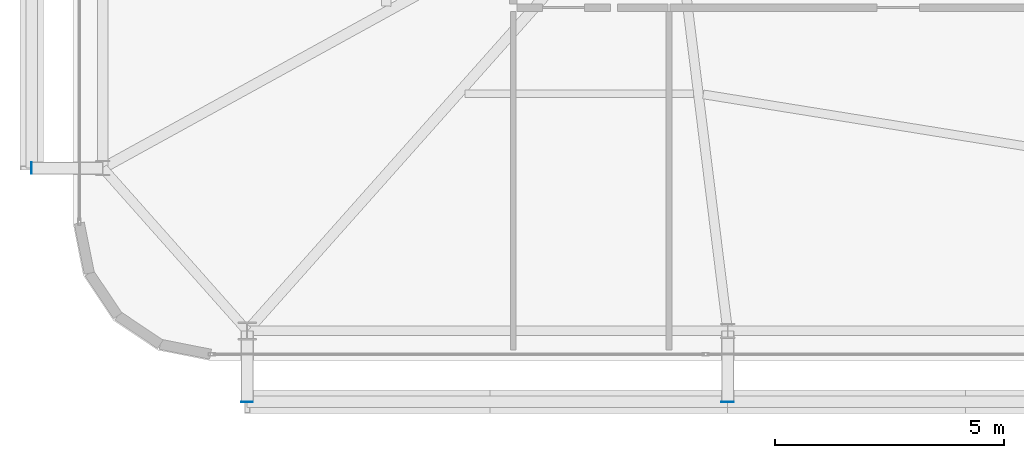
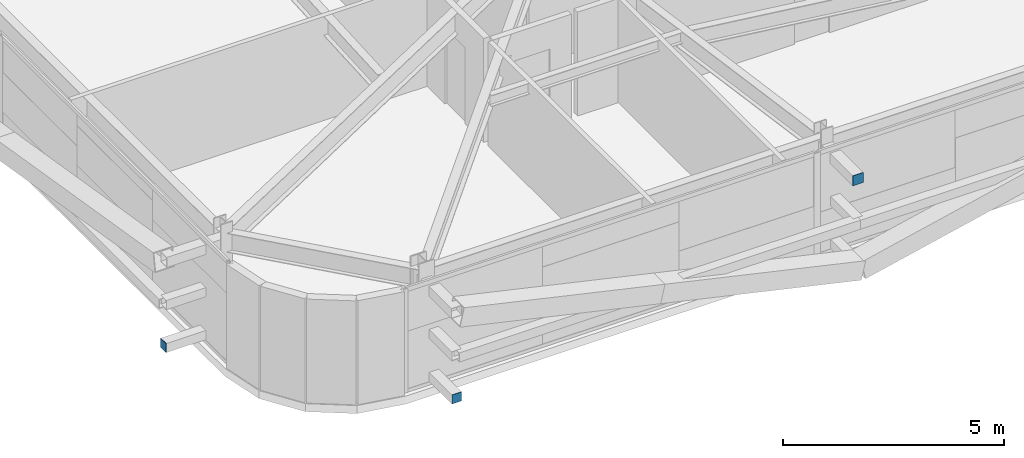
# One storey, part 31 of 45: 3 plates.
"""IFC4 building model written with IfcOpenShell, lengths in metres."""

from ifc_helpers import new_model, si_unit, direction, frame, origin, origin_2d, place, context, subcontext, project, spatial, rectangle, extrude, source, transform, mapped, material, layer, layer_set, type_object, element, save


model = new_model("IFC4")

# Units and contexts
model_context = context("Model", 3, precision=1e-05, world=origin(), true_north=direction((0.0, 1.0)))
body_context = subcontext(model_context, "Body", "Model", "MODEL_VIEW")
ifc_project = project(units=[si_unit("LENGTHUNIT", "METRE"), si_unit("AREAUNIT", "SQUARE_METRE"), si_unit("VOLUMEUNIT", "CUBIC_METRE"), si_unit("PLANEANGLEUNIT", "RADIAN"), si_unit("MASSUNIT", "GRAM", prefix="KILO")], contexts=[model_context])

# Site, building, storey
site_placement = place(None, origin())
site = spatial("IfcSite", under=ifc_project, at=site_placement, CompositionType="ELEMENT")
building_placement = place(site_placement, origin())
building = spatial("IfcBuilding", under=site, at=building_placement, Name="Taldren Reach Tower", CompositionType="ELEMENT")
storey_placement = place(building_placement, frame((0.0, 0.0, 57.75)))
storey = spatial("IfcBuildingStorey", under=building, at=storey_placement, Name="L17", CompositionType="ELEMENT", Elevation=57.75)

# Plates
ifc_material_1 = material(Name="Steel Gr 450 (C450L0)", Category="steel")
ifc_layer_1 = layer(ifc_material_1, 0.011962890625)
ifc_layer_set_1 = layer_set([ifc_layer_1], Name="Steel Gr 450 (C450L0)")
plate_type_1 = type_object("IfcPlateType", Name="PL-CAP-275", PredefinedType="SHEET", material=ifc_layer_set_1)
shared_shape_1 = source(origin(), body_context, "Body", "SweptSolid", [
    extrude(rectangle(XDim=0.27490234375, YDim=0.011962890625, at=origin_2d()), origin(), (0.0, 0.0, 1.0), 0.27490234375),
])
plate_1_placement = place(storey_placement, frame((19.280029296875, 0.593994140625, 2.45263671875), z_axis=(0.0, 0.0, 1.0), x_axis=(1.0, 0.0, 0.0)))
element("IfcPlate", 1, at=plate_1_placement, inside=storey, type_object=plate_type_1, Name="Tie strut end cap plate B1-S2 L17", PredefinedType="SHEET", context=body_context, shape_type="MappedRepresentation", body=[
    mapped(shared_shape_1, transform((0.0, 0.0, 0.0), scale=1.0)),
])
ifc_material_2 = material(Name="Steel Gr 350 (C350L0)", Category="steel")
ifc_layer_2 = layer(ifc_material_2, 0.011962890625)
ifc_layer_set_2 = layer_set([ifc_layer_2], Name="Steel Gr 350 (C350L0)")
plate_type_2 = type_object("IfcPlateType", Name="PL-CAP-250", PredefinedType="SHEET", material=ifc_layer_set_2)
shared_shape_2 = source(origin(), body_context, "Body", "SweptSolid", [
    extrude(rectangle(XDim=0.25, YDim=0.011962890625, at=origin_2d()), origin(), (0.0, 0.0, 1.0), 0.25),
])
plate_2_placement = place(storey_placement, frame((8.800048828125, 0.593994140625, 0.094970703125), z_axis=(0.0, 0.0, 1.0), x_axis=(1.0, 0.0, 0.0)))
element("IfcPlate", 2, at=plate_2_placement, inside=storey, type_object=plate_type_2, Name="Tie strut end cap plate B1-S1 L17", PredefinedType="SHEET", context=body_context, shape_type="MappedRepresentation", body=[
    mapped(shared_shape_2, transform((0.0, 0.0, 0.0), scale=1.0)),
])
shared_shape_3 = source(origin(), body_context, "Body", "SweptSolid", [
    extrude(rectangle(XDim=0.011962890625, YDim=0.25, at=origin_2d()), origin(), (0.0, 0.0, 1.0), 0.25),
])
plate_3_placement = place(storey_placement, frame((4.093994140625, 5.699951171875, 0.094970703125), z_axis=(0.0, 0.0, 1.0), x_axis=(1.0, 0.0, 0.0)))
element("IfcPlate", 3, at=plate_3_placement, inside=storey, type_object=plate_type_2, Name="Tie strut end cap plate B1-W1 L17", PredefinedType="SHEET", context=body_context, shape_type="MappedRepresentation", body=[
    mapped(shared_shape_3, transform((0.0, 0.0, 0.0), scale=1.0)),
])

save(model, "model.ifc")
